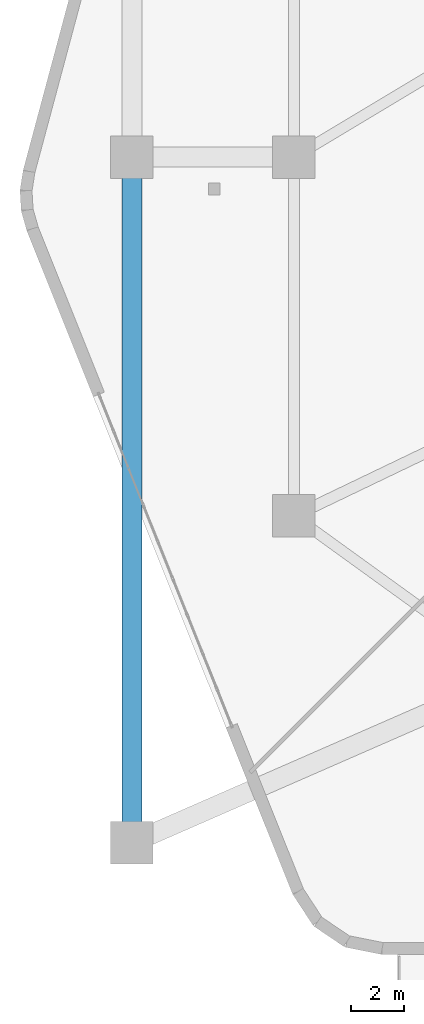
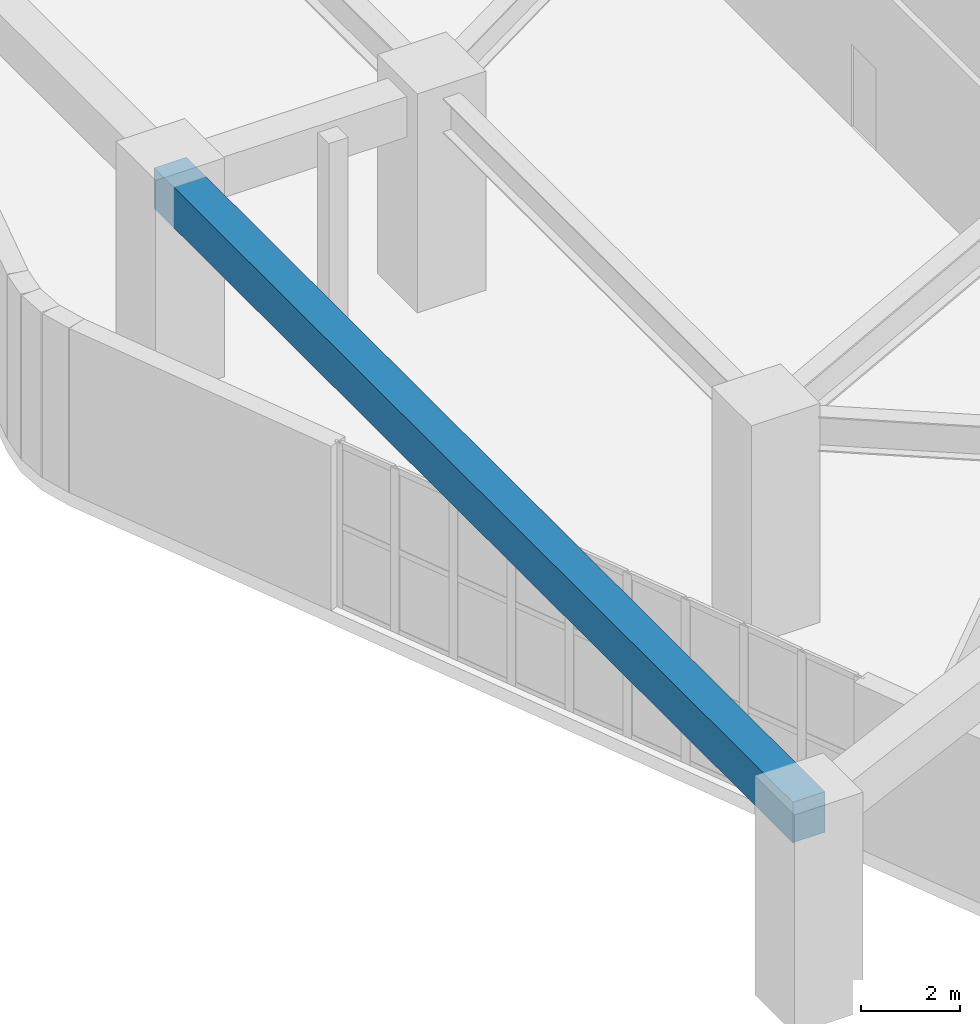
# One storey, part 4 of 34: 1 beam.
"""IFC4 building model written with IfcOpenShell, lengths in metres."""

from ifc_helpers import new_model, si_unit, direction, frame, origin, origin_2d, place, context, subcontext, project, spatial, rectangle, extrude, material, material_profile, profile_set, type_object, element, save


model = new_model("IFC4")

# Units and contexts
model_context = context("Model", 3, precision=1e-05, world=origin(), true_north=direction((0.0, 1.0)))
body_context = subcontext(model_context, "Body", "Model", "MODEL_VIEW")
ifc_project = project(units=[si_unit("LENGTHUNIT", "METRE"), si_unit("AREAUNIT", "SQUARE_METRE"), si_unit("VOLUMEUNIT", "CUBIC_METRE"), si_unit("PLANEANGLEUNIT", "RADIAN"), si_unit("MASSUNIT", "GRAM", prefix="KILO")], contexts=[model_context])

# Site, building, storey
site_placement = place(None, origin())
site = spatial("IfcSite", under=ifc_project, at=site_placement, CompositionType="ELEMENT")
building_placement = place(site_placement, origin())
building = spatial("IfcBuilding", under=site, at=building_placement, Name="Kilnhurst Terrace Hotel", CompositionType="ELEMENT")
storey_placement = place(building_placement, frame((0.0, 0.0, 6.0)))
storey = spatial("IfcBuildingStorey", under=building, at=storey_placement, Name="L01", CompositionType="ELEMENT", Elevation=6.0)

# Beam
ifc_material = material(Name="Concrete C50/60", Category="concrete")
ifc_material_profile = material_profile(ifc_material, rectangle(XDim=0.75, YDim=1.0, at=origin_2d()), Name="RC750X1000")
ifc_profile_set = profile_set([ifc_material_profile], Name="Concrete C50/60")
beam_type = type_object("IfcBeamType", Name="TBM-GAR-750X1000", PredefinedType="T_BEAM", material=ifc_profile_set)
beam_placement = place(storey_placement, frame((-27.60009765625, -25.800048828125, 4.580078125), z_axis=(0.0, 1.0, 0.0), x_axis=(-1.0, 0.0, 0.0)))
element("IfcBeam", 1, at=beam_placement, inside=storey, type_object=beam_type, Name="L01 Outer Ring Tee Beam 1", PredefinedType="T_BEAM", context=body_context, shape_type="SweptSolid", body=[
    extrude(rectangle(XDim=0.75, YDim=1.0, at=origin_2d()), origin(), (0.0, 0.0, 1.0), 25.800048828125),
])

save(model, "model.ifc")
